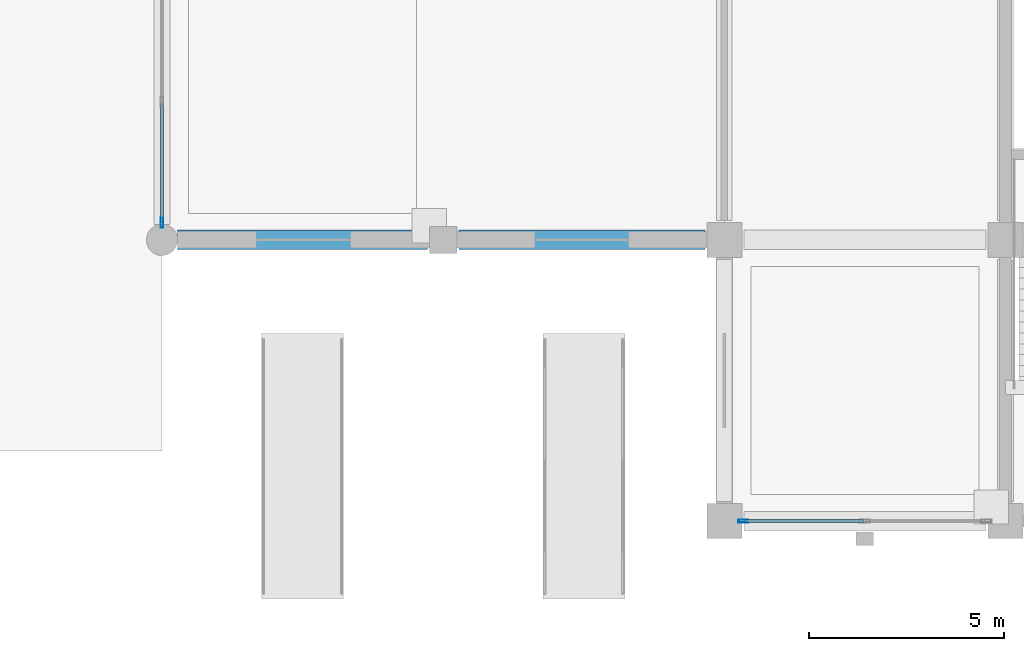
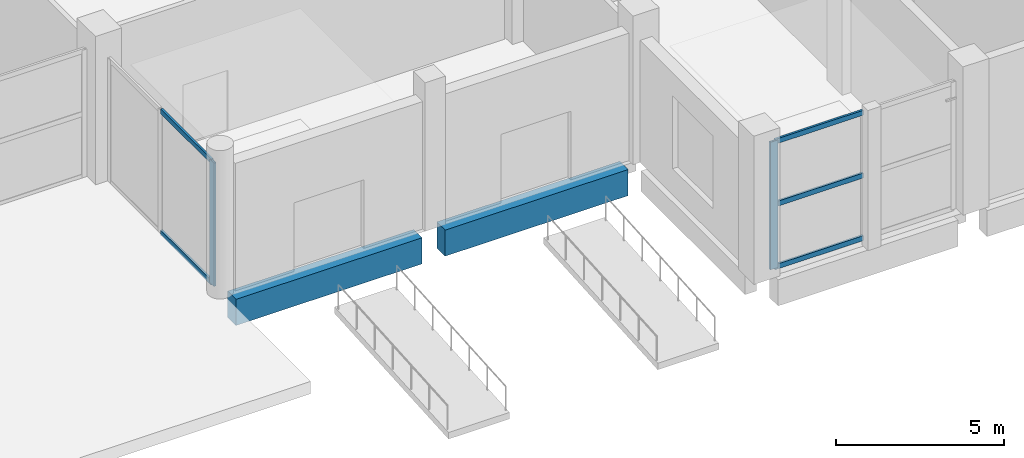
# One storey, part 12 of 70: 7 members, 2 beams, 2 elements without a shape of their own.
"""IFC4 building model written with IfcOpenShell, lengths in metres."""

from ifc_helpers import new_model, si_unit, direction, frame, origin, origin_2d, place, context, subcontext, project, spatial, rectangle, hollow_rectangle, extrude, material, material_profile, profile_set, type_object, element, aggregate, save


model = new_model("IFC4")

# Units and contexts
model_context = context("Model", 3, precision=1e-05, world=origin(), true_north=direction((0.0, 1.0)))
body_context = subcontext(model_context, "Body", "Model", "MODEL_VIEW")
ifc_project = project(units=[si_unit("LENGTHUNIT", "METRE"), si_unit("AREAUNIT", "SQUARE_METRE"), si_unit("VOLUMEUNIT", "CUBIC_METRE"), si_unit("PLANEANGLEUNIT", "RADIAN"), si_unit("MASSUNIT", "GRAM", prefix="KILO")], contexts=[model_context])

# Site, building, storey
site_placement = place(None, origin())
site = spatial("IfcSite", under=ifc_project, at=site_placement, CompositionType="ELEMENT")
building_placement = place(site_placement, origin())
building = spatial("IfcBuilding", under=site, at=building_placement, Name="Vesperath Aquatics Centre", CompositionType="ELEMENT")
storey_placement = place(building_placement, origin())
storey = spatial("IfcBuildingStorey", under=building, at=storey_placement, Name="L00", CompositionType="ELEMENT", Elevation=0.0)

# Beams
ifc_material_1 = material(Name="Concrete C40", Category="concrete")
ifc_material_profile_1 = material_profile(ifc_material_1, rectangle(XDim=0.5, YDim=0.949951171875, at=origin_2d()), Name="RC 500x950")
ifc_profile_set_1 = profile_set([ifc_material_profile_1], Name="Concrete C40")
beam_type = type_object("IfcBeamType", Name="BM-G02", PredefinedType="BEAM", material=ifc_profile_set_1)
beam_1_placement = place(storey_placement, frame((101.199951171875, 7.199951171875, -0.7548828125), z_axis=(1.0, 0.0, 0.0), x_axis=(0.0, 1.0, 0.0)))
element("IfcBeam", 1, at=beam_1_placement, inside=storey, type_object=beam_type, Name="Floor Girder B02 L00 B 15-16", PredefinedType="BEAM", context=body_context, shape_type="SweptSolid", body=[
    extrude(rectangle(XDim=0.5, YDim=0.949951171875, at=origin_2d()), origin(), (0.0, 0.0, 1.0), 6.400146484375),
])
beam_2_placement = place(storey_placement, frame((108.39990234375, 7.199951171875, -0.7548828125), z_axis=(1.0, 0.0, 0.0), x_axis=(0.0, 1.0, 0.0)))
element("IfcBeam", 2, at=beam_2_placement, inside=storey, type_object=beam_type, Name="Floor Girder B02 L00 B 16-17", PredefinedType="BEAM", context=body_context, shape_type="SweptSolid", body=[
    extrude(rectangle(XDim=0.5, YDim=0.949951171875, at=origin_2d()), origin(), (0.0, 0.0, 1.0), 6.300048828125),
])

# Curtain wall, member
ifc_material_2 = material(Name="Thermally broken anodised bronze aluminium curtain wall", Category="aluminium")
curtain_wall_type = type_object("IfcCurtainWallType", Name="CW-01", PredefinedType="NOTDEFINED", material=ifc_material_2)
curtain_wall_1_placement = place(storey_placement, origin())
curtain_wall_1 = element("IfcCurtainWall", 3, at=curtain_wall_1_placement, inside=storey, type_object=curtain_wall_type, Name="Facade Curtain Wall CW01 L00_S_16_00", PredefinedType="NOTDEFINED")
ifc_material_3 = material(Name="Thermally broken anodised aluminium", Category="aluminium")
ifc_material_profile_2 = material_profile(ifc_material_3, hollow_rectangle(XDim=0.074951171875, YDim=0.260009765625, WallThickness=0.006103515625, at=origin_2d()), Name="CWM 75x260x6")
ifc_profile_set_2 = profile_set([ifc_material_profile_2], Name="Thermally broken anodised aluminium")
member_type_1 = type_object("IfcMemberType", Name="MB-CWM1", PredefinedType="MULLION", material=ifc_profile_set_2)
member_1_placement = place(storey_placement, frame((115.6875, 0.0, 0.0), z_axis=(0.0, 0.0, 1.0), x_axis=(0.0, 1.0, 0.0)))
member_1 = element("IfcMember", 4, at=member_1_placement, type_object=member_type_1, Name="CW01 mullion 1", PredefinedType="MULLION", context=body_context, shape_type="SweptSolid", body=[
    extrude(hollow_rectangle(XDim=0.074951171875, YDim=0.260009765625, WallThickness=0.006103515625, at=origin_2d()), origin(), (0.0, 0.0, 1.0), 4.639892578125),
])

curtain_wall_2_placement = place(storey_placement, origin())
curtain_wall_2 = element("IfcCurtainWall", 5, at=curtain_wall_2_placement, inside=storey, type_object=curtain_wall_type, Name="Facade Curtain Wall CW01 L00_W_14_01", PredefinedType="NOTDEFINED")
member_2_placement = place(storey_placement, frame((100.800048828125, 7.637451171875, 0.0), z_axis=(0.0, 0.0, 1.0), x_axis=(-1.0, 0.0, 0.0)))
member_2 = element("IfcMember", 6, at=member_2_placement, type_object=member_type_1, Name="CW01 mullion 1", PredefinedType="MULLION", context=body_context, shape_type="SweptSolid", body=[
    extrude(hollow_rectangle(XDim=0.074951171875, YDim=0.260009765625, WallThickness=0.006103515625, at=origin_2d()), origin(), (0.0, 0.0, 1.0), 4.489990234375),
])

# Member
ifc_material_profile_3 = material_profile(ifc_material_3, hollow_rectangle(XDim=0.074951171875, YDim=0.179931640625, WallThickness=0.0048828125, at=origin_2d()), Name="CWT 75x180x5")
ifc_profile_set_3 = profile_set([ifc_material_profile_3], Name="Thermally broken anodised aluminium")
member_type_2 = type_object("IfcMemberType", Name="MB-CWT1", PredefinedType="USERDEFINED", material=ifc_profile_set_3)
member_3_placement = place(storey_placement, frame((115.72509765625, 0.0, 0.03759765625), z_axis=(1.0, 0.0, 0.0), x_axis=(0.0, 1.0, 0.0)))
member_3 = element("IfcMember", 7, at=member_3_placement, type_object=member_type_2, Name="CW01 transom 1.1", ObjectType="TRANSOM", PredefinedType="USERDEFINED", context=body_context, shape_type="SweptSolid", body=[
    extrude(hollow_rectangle(XDim=0.074951171875, YDim=0.179931640625, WallThickness=0.0048828125, at=origin_2d()), origin(), (0.0, 0.0, 1.0), 3.037353515625),
])

member_4_placement = place(storey_placement, frame((115.72509765625, 0.0, 2.320068359375), z_axis=(1.0, 0.0, 0.0), x_axis=(0.0, 1.0, 0.0)))
member_4 = element("IfcMember", 8, at=member_4_placement, type_object=member_type_2, Name="CW01 transom 1.2", ObjectType="TRANSOM", PredefinedType="USERDEFINED", context=body_context, shape_type="SweptSolid", body=[
    extrude(hollow_rectangle(XDim=0.074951171875, YDim=0.179931640625, WallThickness=0.0048828125, at=origin_2d()), origin(), (0.0, 0.0, 1.0), 3.037353515625),
])

member_5_placement = place(storey_placement, frame((115.72509765625, 0.0, 4.6025390625), z_axis=(1.0, 0.0, 0.0), x_axis=(0.0, 1.0, 0.0)))
member_5 = element("IfcMember", 9, at=member_5_placement, type_object=member_type_2, Name="CW01 transom 1.3", ObjectType="TRANSOM", PredefinedType="USERDEFINED", context=body_context, shape_type="SweptSolid", body=[
    extrude(hollow_rectangle(XDim=0.074951171875, YDim=0.179931640625, WallThickness=0.0048828125, at=origin_2d()), origin(), (0.0, 0.0, 1.0), 3.037353515625),
])

aggregate(curtain_wall_1, [member_1, member_3, member_4, member_5])

member_6_placement = place(storey_placement, frame((100.800048828125, 7.675048828125, 0.03759765625), z_axis=(0.0, 1.0, 0.0), x_axis=(-1.0, 0.0, 0.0)))
member_6 = element("IfcMember", 10, at=member_6_placement, type_object=member_type_2, Name="CW01 transom 1.1", ObjectType="TRANSOM", PredefinedType="USERDEFINED", context=body_context, shape_type="SweptSolid", body=[
    extrude(hollow_rectangle(XDim=0.074951171875, YDim=0.179931640625, WallThickness=0.0048828125, at=origin_2d()), origin(), (0.0, 0.0, 1.0), 3.012451171875),
])

member_7_placement = place(storey_placement, frame((100.800048828125, 7.675048828125, 4.452392578125), z_axis=(0.0, 1.0, 0.0), x_axis=(-1.0, 0.0, 0.0)))
member_7 = element("IfcMember", 11, at=member_7_placement, type_object=member_type_2, Name="CW01 transom 1.2", ObjectType="TRANSOM", PredefinedType="USERDEFINED", context=body_context, shape_type="SweptSolid", body=[
    extrude(hollow_rectangle(XDim=0.074951171875, YDim=0.179931640625, WallThickness=0.0048828125, at=origin_2d()), origin(), (0.0, 0.0, 1.0), 3.012451171875),
])

aggregate(curtain_wall_2, [member_2, member_6, member_7])

save(model, "model.ifc")
